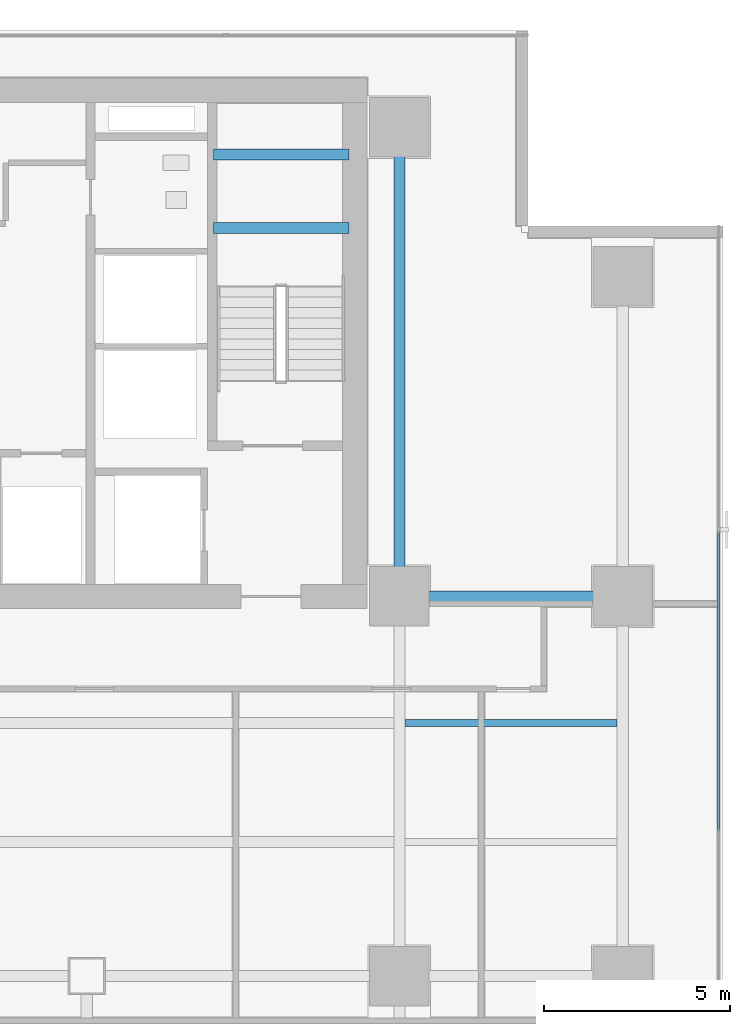
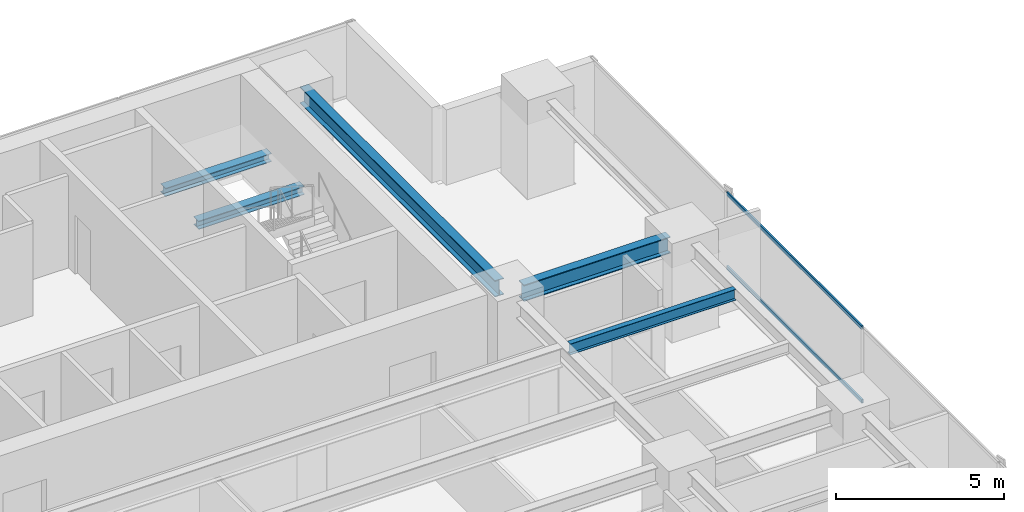
# One storey, part 23 of 37: 5 beams, 2 members, 1 element without a shape of its own.
"""IFC4 building model written with IfcOpenShell, lengths in metres."""

from ifc_helpers import new_model, si_unit, direction, frame, origin, origin_2d, place, context, subcontext, project, spatial, hollow_rectangle, i_section, extrude, source, transform, mapped, material, layer, layer_set, material_profile, profile_set, type_object, element, aggregate, save


model = new_model("IFC4")

# Units and contexts
model_context = context("Model", 3, precision=1e-05, world=origin(), true_north=direction((0.0, 1.0)))
body_context = subcontext(model_context, "Body", "Model", "MODEL_VIEW")
ifc_project = project(units=[si_unit("LENGTHUNIT", "METRE"), si_unit("AREAUNIT", "SQUARE_METRE"), si_unit("VOLUMEUNIT", "CUBIC_METRE"), si_unit("PLANEANGLEUNIT", "RADIAN"), si_unit("MASSUNIT", "GRAM", prefix="KILO")], contexts=[model_context])

# Site, building, storey
site_placement = place(None, origin())
site = spatial("IfcSite", under=ifc_project, at=site_placement, CompositionType="ELEMENT")
building_placement = place(site_placement, origin())
building = spatial("IfcBuilding", under=site, at=building_placement, Name="Sumidabori Civic Tower", CompositionType="ELEMENT")
storey_placement = place(building_placement, frame((0.0, 0.0, 95.60009765625)))
storey = spatial("IfcBuildingStorey", under=building, at=storey_placement, Name="L24", CompositionType="ELEMENT", Elevation=95.60009765625)

# Beams
ifc_material_1 = material(Name="Steel SN490", Category="steel")
ifc_material_profile_1 = material_profile(ifc_material_1, i_section(OverallWidth=0.300048828125, OverallDepth=0.300048828125, WebThickness=0.010986328125, FlangeThickness=0.01904296875, at=origin_2d()), Name="HE 300 B")
ifc_profile_set_1 = profile_set([ifc_material_profile_1], Name="Steel SN490")
beam_type_1 = type_object("IfcBeamType", Name="BM-LDG-300", PredefinedType="BEAM", material=ifc_profile_set_1)
shared_shape_1 = source(origin(), body_context, "Body", "SweptSolid", [
    extrude(i_section(OverallWidth=0.300048828125, OverallDepth=0.300048828125, WebThickness=0.010986328125, FlangeThickness=0.01904296875, at=origin_2d()), origin(), (0.0, 0.0, 1.0), 3.64990234375),
])
for number, where, z_axis, x_axis, name in (
    (1, (11.800048828125, 20.09765625, 1.449951171875), (1.0, 0.0, 0.0), (0.0, 1.0, 0.0), "Stair ST-2 Landing Support Beam L24-1A"),
    (2, (11.800048828125, 22.069580078125, 1.449951171875), (1.0, 0.0, 0.0), (0.0, 1.0, 0.0), "Stair ST-2 Landing Trimmer Beam L24-1B"),
):
    element("IfcBeam", number, at=place(storey_placement, frame(where, z_axis=z_axis, x_axis=x_axis)), inside=storey, type_object=beam_type_1, Name=name, PredefinedType="BEAM", context=body_context, shape_type="MappedRepresentation", body=[
        mapped(shared_shape_1, transform((0.0, 0.0, 0.0), x_axis=(1.0, 0.0, 0.0), y_axis=(0.0, 1.0, 0.0), z_axis=(0.0, 0.0, 1.0), scale=1.0)),
    ])
ifc_material_profile_2 = material_profile(ifc_material_1, i_section(OverallWidth=0.300048828125, OverallDepth=0.60009765625, WebThickness=0.015380859375, FlangeThickness=0.030029296875, at=origin_2d()), Name="HE 600 B")
ifc_profile_set_2 = profile_set([ifc_material_profile_2], Name="Steel SN490")
beam_type_2 = type_object("IfcBeamType", Name="BM-GIRD-600", PredefinedType="BEAM", material=ifc_profile_set_2)
shared_shape_2 = source(origin(), body_context, "Body", "SweptSolid", [
    extrude(i_section(OverallWidth=0.300048828125, OverallDepth=0.60009765625, WebThickness=0.015380859375, FlangeThickness=0.030029296875, at=origin_2d()), origin(), (0.0, 0.0, 1.0), 5.0400390625),
])
beam_1_placement = place(storey_placement, frame((17.280029296875, 10.199951171875, 3.059814453125), z_axis=(1.0, 0.0, 0.0), x_axis=(0.0, 1.0, 0.0)))
element("IfcBeam", 3, at=beam_1_placement, inside=storey, type_object=beam_type_2, Name="Primary Girder L24 GX-20", PredefinedType="BEAM", context=body_context, shape_type="MappedRepresentation", body=[
    mapped(shared_shape_2, transform((0.0, 0.0, 0.0), x_axis=(1.0, 0.0, 0.0), y_axis=(0.0, 1.0, 0.0), z_axis=(0.0, 0.0, 1.0), scale=1.0)),
])
shared_shape_3 = source(origin(), body_context, "Body", "SweptSolid", [
    extrude(i_section(OverallWidth=0.300048828125, OverallDepth=0.60009765625, WebThickness=0.015380859375, FlangeThickness=0.030029296875, at=origin_2d()), origin(), (0.0, 0.0, 1.0), 11.64013671875),
])
beam_2_placement = place(storey_placement, frame((16.800048828125, 10.679931640625, 3.059814453125), z_axis=(0.0, 1.0, 0.0), x_axis=(-1.0, 0.0, 0.0)))
element("IfcBeam", 4, at=beam_2_placement, inside=storey, type_object=beam_type_2, Name="Primary Girder L24 GY-38", PredefinedType="BEAM", context=body_context, shape_type="MappedRepresentation", body=[
    mapped(shared_shape_3, transform((0.0, 0.0, 0.0), x_axis=(1.0, 0.0, 0.0), y_axis=(0.0, 1.0, 0.0), z_axis=(0.0, 0.0, 1.0), scale=1.0)),
])
ifc_material_profile_3 = material_profile(ifc_material_1, i_section(OverallWidth=0.179931640625, OverallDepth=0.39990234375, WebThickness=0.008544921875, FlangeThickness=0.013427734375, at=origin_2d()), Name="IPE 400")
ifc_profile_set_3 = profile_set([ifc_material_profile_3], Name="Steel SN490")
beam_type_3 = type_object("IfcBeamType", Name="BM-JST-400", PredefinedType="JOIST", material=ifc_profile_set_3)
shared_shape_4 = source(origin(), body_context, "Body", "SweptSolid", [
    extrude(i_section(OverallWidth=0.179931640625, OverallDepth=0.39990234375, WebThickness=0.008544921875, FlangeThickness=0.013427734375, at=origin_2d()), origin(), (0.0, 0.0, 1.0), 5.699951171875),
])
beam_3_placement = place(storey_placement, frame((16.949951171875, 6.800048828125, 3.159912109375), z_axis=(1.0, 0.0, 0.0), x_axis=(0.0, 1.0, 0.0)))
element("IfcBeam", 5, at=beam_3_placement, inside=storey, type_object=beam_type_3, Name="Outer Bay Floor Joist L24 JSTO-50", PredefinedType="JOIST", context=body_context, shape_type="MappedRepresentation", body=[
    mapped(shared_shape_4, transform((0.0, 0.0, 0.0), x_axis=(1.0, 0.0, 0.0), y_axis=(0.0, 1.0, 0.0), z_axis=(0.0, 0.0, 1.0), scale=1.0)),
])

# Curtain wall, members
ifc_material_2 = material(Name="Anodised Bronze Aluminium AW-6063-T6", Category="aluminium")
ifc_layer = layer(ifc_material_2, 0.179931640625, Name="Anodised Bronze Aluminium AW-6063-T6")
ifc_layer_set = layer_set([ifc_layer], Name="Anodised Bronze Aluminium AW-6063-T6")
curtain_wall_type = type_object("IfcCurtainWallType", Name="CW-SYS-3", PredefinedType="NOTDEFINED", material=ifc_layer_set)
curtain_wall_placement = place(storey_placement, origin())
curtain_wall = element("IfcCurtainWall", 6, at=curtain_wall_placement, inside=storey, type_object=curtain_wall_type, Name="Curtain Wall CW:L24:R04", PredefinedType="NOTDEFINED")
ifc_material_profile_4 = material_profile(ifc_material_2, hollow_rectangle(XDim=0.06005859375, YDim=0.1298828125, WallThickness=0.0048828125, at=origin_2d()), Name="ALU TRANSOM 130x60")
ifc_profile_set_4 = profile_set([ifc_material_profile_4], Name="Anodised Bronze Aluminium AW-6063-T6")
member_type = type_object("IfcMemberType", Name="CW-TRN-130", PredefinedType="USERDEFINED", material=ifc_profile_set_4)
shared_shape_5 = source(origin(), body_context, "Body", "SweptSolid", [
    extrude(hollow_rectangle(XDim=0.06005859375, YDim=0.1298828125, WallThickness=0.0048828125, at=origin_2d()), origin(), (0.0, 0.0, 1.0), 8.06298828125),
])
member_1_placement = place(storey_placement, frame((25.3798828125, 3.896484375, 0.02978515625), z_axis=(0.0, 1.0, 0.0), x_axis=(-1.0, 0.0, 0.0)))
member_1 = element("IfcMember", 7, at=member_1_placement, type_object=member_type, Name="CW-3 transom 4.1", ObjectType="TRANSOM", PredefinedType="USERDEFINED", context=body_context, shape_type="MappedRepresentation", body=[
    mapped(shared_shape_5, transform((0.0, 0.0, 0.0), x_axis=(1.0, 0.0, 0.0), y_axis=(0.0, 1.0, 0.0), z_axis=(0.0, 0.0, 1.0), scale=1.0)),
])
member_2_placement = place(storey_placement, frame((25.3798828125, 3.896484375, 2.7099609375), z_axis=(0.0, 1.0, 0.0), x_axis=(-1.0, 0.0, 0.0)))
member_2 = element("IfcMember", 8, at=member_2_placement, type_object=member_type, Name="CW-3 transom 4.2", ObjectType="TRANSOM", PredefinedType="USERDEFINED", context=body_context, shape_type="MappedRepresentation", body=[
    mapped(shared_shape_5, transform((0.0, 0.0, 0.0), x_axis=(1.0, 0.0, 0.0), y_axis=(0.0, 1.0, 0.0), z_axis=(0.0, 0.0, 1.0), scale=1.0)),
])
aggregate(curtain_wall, [member_1, member_2])

save(model, "model.ifc")
